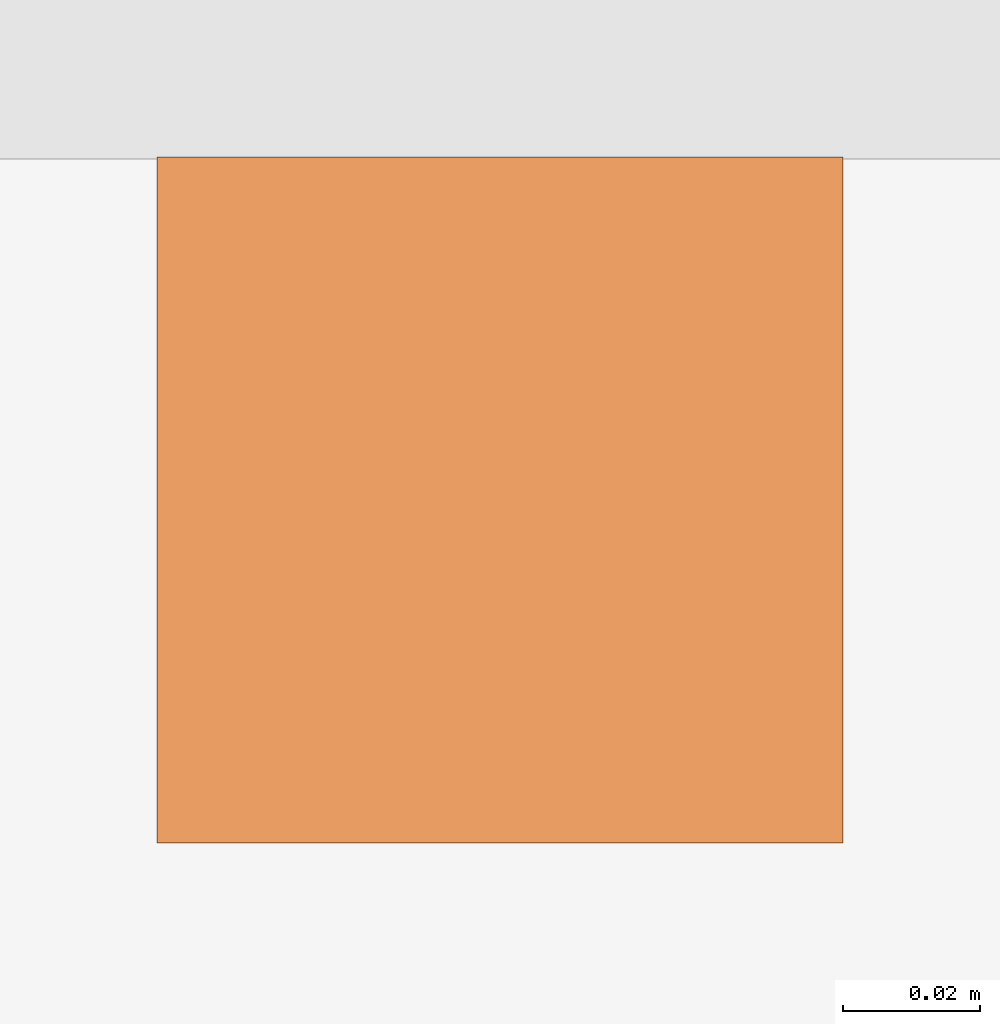
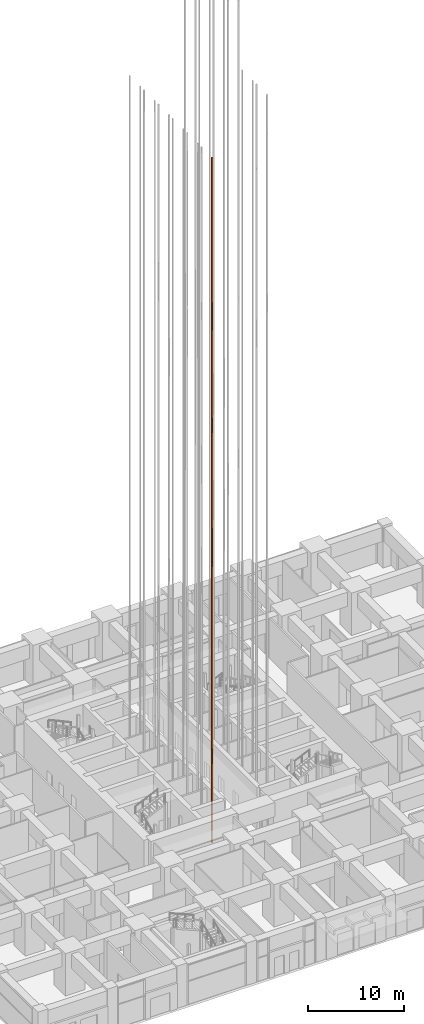
# One storey, part 58 of 81: 1 proxy.
"""IFC4 building model written with IfcOpenShell, lengths in metres."""

from ifc_helpers import new_model, si_unit, direction, frame, origin, origin_2d, place, context, subcontext, project, spatial, rectangle, extrude, material, type_object, element, save


model = new_model("IFC4")

# Units and contexts
model_context = context("Model", 3, precision=1e-05, world=origin(), true_north=direction((0.0, 1.0)))
body_context = subcontext(model_context, "Body", "Model", "MODEL_VIEW")
ifc_project = project(units=[si_unit("LENGTHUNIT", "METRE"), si_unit("AREAUNIT", "SQUARE_METRE"), si_unit("VOLUMEUNIT", "CUBIC_METRE"), si_unit("PLANEANGLEUNIT", "RADIAN"), si_unit("MASSUNIT", "GRAM", prefix="KILO")], contexts=[model_context])

# Site, building, storey
site_placement = place(None, origin())
site = spatial("IfcSite", under=ifc_project, at=site_placement, CompositionType="ELEMENT")
building_placement = place(site_placement, origin())
building = spatial("IfcBuilding", under=site, at=building_placement, Name="Rekha Terrace Tower", CompositionType="ELEMENT")
storey_placement = place(building_placement, origin())
storey = spatial("IfcBuildingStorey", under=building, at=storey_placement, Name="L00", CompositionType="ELEMENT", Elevation=0.0)

# Proxy
ifc_material = material(Name="Steel guide rail", Category="steel")
building_element_proxy_type = type_object("IfcBuildingElementProxyType", Name="LR1 100 lift guide rail", PredefinedType="ELEMENT", material=ifc_material)
proxy_placement = place(storey_placement, frame((34.5, 23.800048828125, 0.0), z_axis=(0.0, 0.0, 1.0), x_axis=(1.0, 0.0, 0.0)))
element("IfcBuildingElementProxy", 1, at=proxy_placement, inside=storey, type_object=building_element_proxy_type, Name="Lift A1 guide rail 1", PredefinedType="ELEMENT", context=body_context, shape_type="SweptSolid", body=[
    extrude(rectangle(XDim=0.10009765625, YDim=0.10009765625, at=origin_2d()), origin(), (0.0, 0.0, 1.0), 87.5),
])

save(model, "model.ifc")
